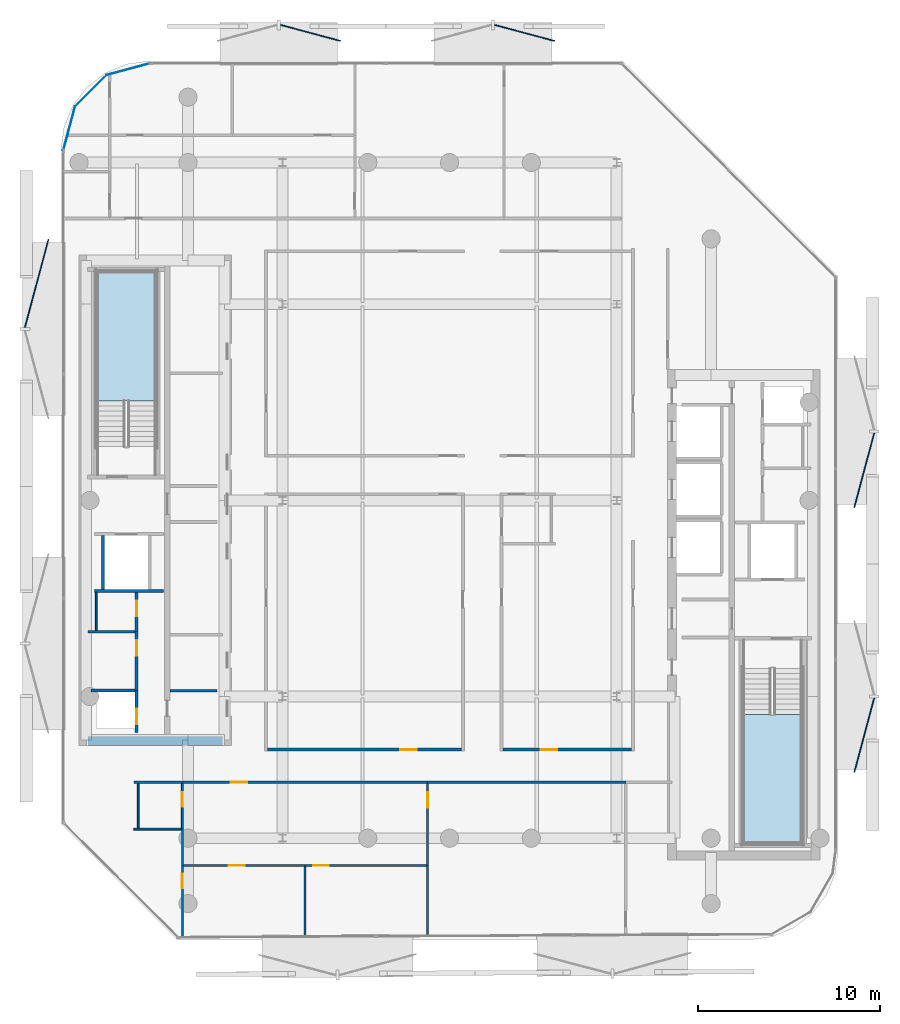
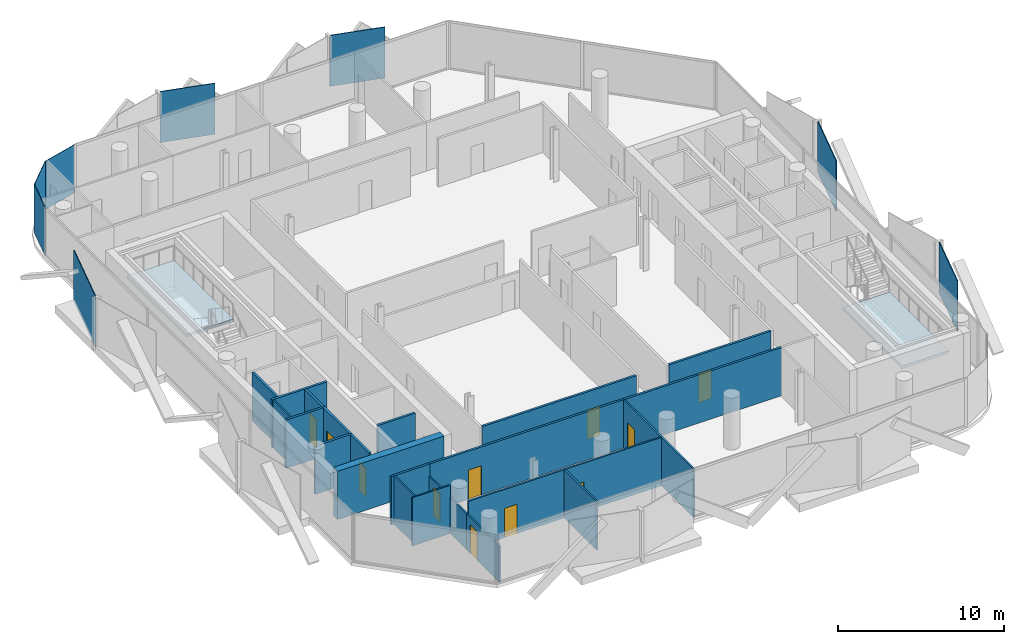
# One storey, part 4 of 15: 25 walls, 11 doors, 8 plates, 2 slabs, 11 openings, 2 elements without a shape of their own.
"""IFC4 building model written with IfcOpenShell, lengths in metres."""

from ifc_helpers import new_model, si_unit, direction, frame, frame_2d, origin, origin_2d, place, context, subcontext, project, spatial, polyline, rectangle, outline, extrude, material, layer, layer_set, type_object, element, fill, aggregate, save


model = new_model("IFC4")

# Units and contexts
model_context = context("Model", 3, precision=1e-05, world=origin(), true_north=direction((0.0, 1.0)))
body_context = subcontext(model_context, "Body", "Model", "MODEL_VIEW")
ifc_project = project(units=[si_unit("LENGTHUNIT", "METRE"), si_unit("AREAUNIT", "SQUARE_METRE"), si_unit("VOLUMEUNIT", "CUBIC_METRE"), si_unit("PLANEANGLEUNIT", "RADIAN"), si_unit("MASSUNIT", "GRAM", prefix="KILO")], contexts=[model_context])

# Site, building, storey
site_placement = place(None, origin())
site = spatial("IfcSite", under=ifc_project, at=site_placement, CompositionType="ELEMENT")
building_placement = place(site_placement, origin())
building = spatial("IfcBuilding", under=site, at=building_placement, Name="Khairoan Windgate Tower", CompositionType="ELEMENT")
storey_placement = place(building_placement, frame((0.0, 0.0, 289.0)))
storey = spatial("IfcBuildingStorey", under=building, at=storey_placement, Name="L69", CompositionType="ELEMENT", Elevation=289.0)

# Plates
ifc_material_1 = material(Name="Low-E Solar Control Laminated Glass", Category="glass")
ifc_layer_1 = layer(ifc_material_1, 0.030029296875, Name="Low-E Solar Control Laminated Glass")
ifc_layer_set_1 = layer_set([ifc_layer_1], Name="Low-E Solar Control Laminated Glass")
plate_type_1 = type_object("IfcPlateType", Name="Aerodynamic Wind-Corner Curved Glazing Plate", PredefinedType="USERDEFINED", material=ifc_layer_set_1)
plate_1_placement = place(storey_placement, frame((-20.940673828125, 20.485107421875, 0.0), z_axis=(0.0, 0.0, 1.0), x_axis=(0.258313252067, 0.966061211211, 0.0)))
element("IfcPlate", 1, at=plate_1_placement, inside=storey, type_object=plate_type_1, Name="L69 Aerodynamic Wind-Corner Curved Glazing Panel 4", ObjectType="GLAZING PANEL", PredefinedType="USERDEFINED", context=body_context, shape_type="SweptSolid", body=[
    extrude(rectangle(XDim=2.512451171875, YDim=0.035888671875, at=origin_2d()), origin(), (0.0, 0.0, 1.0), 3.5400390625),
])
plate_2_placement = place(storey_placement, frame((-19.750244140625, 22.55029296875, 0.0), z_axis=(0.0, 0.0, 1.0), x_axis=(0.707106781187, 0.707106781187, 0.0)))
element("IfcPlate", 2, at=plate_2_placement, inside=storey, type_object=plate_type_1, Name="L69 Aerodynamic Wind-Corner Curved Glazing Panel 5", ObjectType="GLAZING PANEL", PredefinedType="USERDEFINED", context=body_context, shape_type="SweptSolid", body=[
    extrude(rectangle(XDim=2.50341796875, YDim=0.035888671875, at=origin_2d()), origin(), (0.0, 0.0, 1.0), 3.5400390625),
])
plate_3_placement = place(storey_placement, frame((-17.68505859375, 23.740478515625, 0.0), z_axis=(0.0, 0.0, 1.0), x_axis=(0.966061211211, 0.258313252067, 0.0)))
element("IfcPlate", 3, at=plate_3_placement, inside=storey, type_object=plate_type_1, Name="L69 Aerodynamic Wind-Corner Curved Glazing Panel 6", ObjectType="GLAZING PANEL", PredefinedType="USERDEFINED", context=body_context, shape_type="SweptSolid", body=[
    extrude(rectangle(XDim=2.512451171875, YDim=0.035888671875, at=origin_2d()), origin(), (0.0, 0.0, 1.0), 3.5400390625),
])
ifc_material_2 = material(Name="Anodised Bronze Aluminium 6063-T6", Category="aluminium")
ifc_layer_2 = layer(ifc_material_2, 0.054931640625, Name="Anodised Bronze Aluminium 6063-T6")
ifc_layer_set_2 = layer_set([ifc_layer_2], Name="Anodised Bronze Aluminium 6063-T6")
plate_type_2 = type_object("IfcPlateType", Name="Perforated Bronze Solar Screen Upper Panel BSP-2", PredefinedType="USERDEFINED", material=ifc_layer_set_2)
plate_4_placement = place(storey_placement, frame((-22.72998046875, 11.947998046875, -0.10009765625), z_axis=(0.0, 0.0, 1.0), x_axis=(0.258819045103, 0.965925826289, 0.0)))
element("IfcPlate", 4, at=plate_4_placement, inside=storey, type_object=plate_type_2, Name="L69 Perforated Bronze Solar Screen Panel 481R", ObjectType="SCREEN", PredefinedType="USERDEFINED", context=body_context, shape_type="SweptSolid", body=[
    extrude(rectangle(XDim=5.02197265625, YDim=0.054931640625, at=origin_2d()), origin(), (0.0, 0.0, 1.0), 3.739990234375),
])
for number, where, z_axis, x_axis, name in (
    (5, (-7.65673828125, 25.73779296875, -0.10009765625), (0.0, 0.0, 1.0), (0.965925826289, -0.258819045103, 0.0), "L69 Perforated Bronze Solar Screen Panel 482R"),
    (6, (4.129638671875, 25.73779296875, -0.10009765625), (0.0, 0.0, 1.0), (0.965925826289, -0.258819045103, 0.0), "L69 Perforated Bronze Solar Screen Panel 483R"),
):
    element("IfcPlate", number, at=place(storey_placement, frame(where, z_axis=z_axis, x_axis=x_axis)), inside=storey, type_object=plate_type_2, Name=name, ObjectType="SCREEN", PredefinedType="USERDEFINED", context=body_context, shape_type="SweptSolid", body=[
        extrude(rectangle(XDim=3.41796875, YDim=0.054931640625, at=origin_2d()), origin(), (0.0, 0.0, 1.0), 3.739990234375),
    ])
for number, where, z_axis, x_axis, name in (
    (7, (22.83251953125, 1.656005859375, -0.10009765625), (0.0, 0.0, 1.0), (-0.258819045103, -0.965925826289, 0.0), "L69 Perforated Bronze Solar Screen Panel 484R"),
    (8, (22.83251953125, -12.930419921875, -0.10009765625), (0.0, 0.0, 1.0), (-0.258819045103, -0.965925826289, 0.0), "L69 Perforated Bronze Solar Screen Panel 485R"),
):
    element("IfcPlate", number, at=place(storey_placement, frame(where, z_axis=z_axis, x_axis=x_axis)), inside=storey, type_object=plate_type_2, Name=name, ObjectType="SCREEN", PredefinedType="USERDEFINED", context=body_context, shape_type="SweptSolid", body=[
        extrude(rectangle(XDim=4.22998046875, YDim=0.054931640625, at=origin_2d()), origin(), (0.0, 0.0, 1.0), 3.739990234375),
    ])

# Stair, slab
ifc_material_3 = material(Name="Concrete C40/50", Category="concrete")
stair_type = type_object("IfcStairType", Name="Tower Core Dog-Leg Stair ST-T1 1560mm", PredefinedType="HALF_TURN_STAIR", material=ifc_material_3)
stair_1_placement = place(storey_placement, origin())
stair_1 = element("IfcStair", 9, at=stair_1_placement, inside=storey, type_object=stair_type, Name="L69 Stair ST1", PredefinedType="HALF_TURN_STAIR")
ifc_material_4 = material(Name="Concrete C40/50", Category="concrete")
ifc_layer_3 = layer(ifc_material_4, 0.199951171875, Name="Concrete C40/50")
ifc_layer_set_3 = layer_set([ifc_layer_3], Name="Concrete C40/50")
slab_type = type_object("IfcSlabType", Name="Reinforced Concrete Stair Landing Slab STL-200", PredefinedType="LANDING", material=ifc_layer_set_3)
slab_1_placement = place(storey_placement, frame((0.0, 0.0, 1.699951171875)))
slab_1 = element("IfcSlab", 10, at=slab_1_placement, type_object=slab_type, Name="ST1 landing 1", PredefinedType="LANDING", context=body_context, shape_type="SweptSolid", body=[
    extrude(outline(polyline([(16.14990234375, -11.780029296875), (16.14990234375, -18.89990234375), (19.419921875, -18.89990234375), (19.419921875, -11.780029296875), (16.14990234375, -11.780029296875)])), origin(), (0.0, 0.0, 1.0), 0.199951171875),
])
aggregate(stair_1, [slab_1])

stair_2_placement = place(storey_placement, origin())
stair_2 = element("IfcStair", 11, at=stair_2_placement, inside=storey, type_object=stair_type, Name="L69 Stair ST2", PredefinedType="HALF_TURN_STAIR")
slab_2_placement = place(storey_placement, frame((0.0, 0.0, 1.699951171875)))
slab_2 = element("IfcSlab", 12, at=slab_2_placement, type_object=slab_type, Name="ST2 landing 1", PredefinedType="LANDING", context=body_context, shape_type="SweptSolid", body=[
    extrude(outline(polyline([(-16.14990234375, 5.47998046875), (-16.14990234375, 12.60009765625), (-19.419921875, 12.60009765625), (-19.419921875, 5.47998046875), (-16.14990234375, 5.47998046875)])), origin(), (0.0, 0.0, 1.0), 0.199951171875),
])
aggregate(stair_2, [slab_2])

# Wall
ifc_material_5 = material(Name="Moisture-Resistant Gypsum Partition", Category="gypsum")
ifc_layer_4 = layer(ifc_material_5, 0.10009765625, Name="Moisture-Resistant Gypsum Partition")
ifc_layer_set_4 = layer_set([ifc_layer_4], Name="Moisture-Resistant Gypsum Partition")
wall_type_1 = type_object("IfcWallType", Name="Bathroom Wet-Area Partition Wall", PredefinedType="PARTITIONING", material=ifc_layer_set_4)
wall_1_placement = place(storey_placement, frame((-17.3798828125, -18.10009765625, 0.0), z_axis=(0.0, 0.0, 1.0), x_axis=(1.0, 0.0, 0.0)))
element("IfcWall", 13, at=wall_1_placement, inside=storey, type_object=wall_type_1, Name="L69 Interior Partition 047", PredefinedType="PARTITIONING", context=body_context, shape_type="SweptSolid", body=[
    extrude(rectangle(XDim=2.619873046875, YDim=0.10009765625, at=frame_2d((1.31005859375, 0.0))), origin(), (0.0, 0.0, 1.0), 3.5400390625),
])

# Wall, opening, door
wall_2_placement = place(storey_placement, frame((-14.7099609375, -18.10009765625, 0.0), z_axis=(0.0, 0.0, 1.0), x_axis=(0.0, 1.0, 0.0)))
wall_2 = element("IfcWall", 14, at=wall_2_placement, inside=storey, type_object=wall_type_1, Name="L69 Interior Partition 048", PredefinedType="PARTITIONING", context=body_context, shape_type="SweptSolid", body=[
    extrude(rectangle(XDim=2.5, YDim=0.10009765625, at=frame_2d((1.25, 0.0))), origin(), (0.0, 0.0, 1.0), 2.639892578125),
])
opening_1_placement = place(wall_2_placement, frame((1.239990234375, 0.0, 0.0)))
opening_1 = element("IfcOpeningElement", 15, at=opening_1_placement, cuts=wall_2, Name="Opening ID-BTH", PredefinedType="OPENING", context=body_context, shape_type="SweptSolid", body=[
    extrude(rectangle(XDim=0.800048828125, YDim=2.10009765625, at=frame_2d((0.39990234375, 1.050048828125))), frame((0.0, 0.06005859375, 0.0), z_axis=(0.0, -1.0, 0.0), x_axis=(1.0, 0.0, 0.0)), (0.0, 0.0, 1.0), 0.1201171875),
])
ifc_material_6 = material(Name="Teak Veneer Timber Leaf", Category="wood")
door_type_1 = type_object("IfcDoorType", Name="Internal Bathroom Door ID-BTH 800x2100", OperationType="NOTDEFINED", PredefinedType="DOOR", material=ifc_material_6)
door_1_placement = place(opening_1_placement, origin())
door_1 = element("IfcDoor", 16, at=door_1_placement, inside=storey, type_object=door_type_1, Name="L69 L69-40-L69-42 Door", OperationType="SINGLE_SWING_RIGHT", OverallHeight=2.10009765625, OverallWidth=0.800048828125, PredefinedType="DOOR", context=body_context, shape_type="SweptSolid", body=[
    extrude(rectangle(XDim=0.800048828125, YDim=2.10009765625, at=frame_2d((0.39990234375, 1.050048828125))), frame((0.0, 0.02490234375, 0.0), z_axis=(0.0, -1.0, 0.0), x_axis=(1.0, 0.0, 0.0)), (0.0, 0.0, 1.0), 0.050048828125),
])
fill(opening_1, door_1)

# Walls
wall_3_placement = place(storey_placement, frame((-19.449951171875, -7.14990234375, 0.0), z_axis=(0.0, 0.0, 1.0), x_axis=(0.0, 1.0, 0.0)))
element("IfcWall", 17, at=wall_3_placement, inside=storey, type_object=wall_type_1, Name="L69 Wet Room Side Wall 058", PredefinedType="PARTITIONING", context=body_context, shape_type="SweptSolid", body=[
    extrude(rectangle(XDim=2.08984375, YDim=0.10009765625, at=frame_2d((1.044921875, 0.0))), origin(), (0.0, 0.0, 1.0), 3.5400390625),
])
wall_4_placement = place(storey_placement, frame((-17.139892578125, -18.050048828125, 0.0), z_axis=(0.0, 0.0, 1.0), x_axis=(0.0, 1.0, 0.0)))
element("IfcWall", 18, at=wall_4_placement, inside=storey, type_object=wall_type_1, Name="L69 Wet Room Side Wall 060", PredefinedType="PARTITIONING", context=body_context, shape_type="SweptSolid", body=[
    extrude(rectangle(XDim=2.449951171875, YDim=0.10009765625, at=frame_2d((1.22509765625, 0.0))), origin(), (0.0, 0.0, 1.0), 3.5400390625),
])
ifc_material_7 = material(Name="Concrete C40/50", Category="concrete")
ifc_layer_5 = layer(ifc_material_7, 0.159912109375, Name="Concrete C40/50")
ifc_layer_set_5 = layer_set([ifc_layer_5], Name="Concrete C40/50")
wall_type_2 = type_object("IfcWallType", Name="Core and Hoistway Enclosure Wall", PredefinedType="STANDARD", material=ifc_layer_set_5)
wall_5_placement = place(storey_placement, frame((-19.550048828125, -4.97998046875, 0.0), z_axis=(0.0, 0.0, 1.0), x_axis=(1.0, 0.0, 0.0)))
element("IfcWall", 19, at=wall_5_placement, inside=storey, type_object=wall_type_2, Name="L69 Core Shaft Wall SW-FL2B-L69", PredefinedType="STANDARD", context=body_context, shape_type="SweptSolid", body=[
    extrude(rectangle(XDim=3.800048828125, YDim=0.159912109375, at=frame_2d((1.89990234375, 0.0))), origin(), (0.0, 0.0, 1.0), 3.5400390625),
])
wall_6_placement = place(storey_placement, frame((-19.080078125, -4.89990234375, 0.0), z_axis=(0.0, 0.0, 1.0), x_axis=(0.0, 1.0, 0.0)))
element("IfcWall", 20, at=wall_6_placement, inside=storey, type_object=wall_type_2, Name="L69 Core Shaft Wall SW-FL2W-L69", PredefinedType="STANDARD", context=body_context, shape_type="SweptSolid", body=[
    extrude(rectangle(XDim=2.9599609375, YDim=0.159912109375, at=frame_2d((1.47998046875, 0.0))), origin(), (0.0, 0.0, 1.0), 3.5400390625),
])
wall_7_placement = place(storey_placement, frame((-15.39990234375, -10.47998046875, 0.0), z_axis=(0.0, 0.0, 1.0), x_axis=(1.0, 0.0, 0.0)))
element("IfcWall", 21, at=wall_7_placement, inside=storey, type_object=wall_type_2, Name="L69 Core Shaft Wall SW-WSV-L69", PredefinedType="STANDARD", context=body_context, shape_type="SweptSolid", body=[
    extrude(rectangle(XDim=2.599853515625, YDim=0.159912109375, at=frame_2d((1.2998046875, 0.0))), origin(), (0.0, 0.0, 1.0), 3.5400390625),
])
ifc_material_8 = material(Name="Gypsum Stud Partition", Category="gypsum")
ifc_layer_6 = layer(ifc_material_8, 0.1201171875, Name="Gypsum Stud Partition")
ifc_layer_set_6 = layer_set([ifc_layer_6], Name="Gypsum Stud Partition")
wall_type_3 = type_object("IfcWallType", Name="Internal Room Partition Wall", PredefinedType="PARTITIONING", material=ifc_layer_set_6)
wall_8_placement = place(storey_placement, frame((-14.7099609375, -20.10009765625, 0.0), z_axis=(0.0, 0.0, 1.0), x_axis=(0.0, 1.0, 0.0)))
element("IfcWall", 22, at=wall_8_placement, inside=storey, type_object=wall_type_3, Name="L69 Interior Partition 049", PredefinedType="PARTITIONING", context=body_context, shape_type="SweptSolid", body=[
    extrude(rectangle(XDim=2.0, YDim=0.1201171875, at=frame_2d((1.0, 0.0))), origin(), (0.0, 0.0, 1.0), 2.639892578125),
])

# Wall, opening, door
wall_9_placement = place(storey_placement, frame((-14.7099609375, -24.0537109375, 0.0), z_axis=(0.0, 0.0, 1.0), x_axis=(0.0, 1.0, 0.0)))
wall_9 = element("IfcWall", 23, at=wall_9_placement, inside=storey, type_object=wall_type_3, Name="L69 Interior Partition 050", PredefinedType="PARTITIONING", context=body_context, shape_type="SweptSolid", body=[
    extrude(rectangle(XDim=3.95361328125, YDim=0.1201171875, at=frame_2d((1.976806640625, 0.0))), origin(), (0.0, 0.0, 1.0), 2.639892578125),
])
opening_2_placement = place(wall_9_placement, frame((2.69384765625, 0.0, 0.0)))
opening_2 = element("IfcOpeningElement", 24, at=opening_2_placement, cuts=wall_9, Name="Opening ID-BTH", PredefinedType="OPENING", context=body_context, shape_type="SweptSolid", body=[
    extrude(rectangle(XDim=0.800048828125, YDim=2.10009765625, at=frame_2d((0.39990234375, 1.050048828125))), frame((0.0, 0.070068359375, 0.0), z_axis=(0.0, -1.0, 0.0), x_axis=(1.0, 0.0, 0.0)), (0.0, 0.0, 1.0), 0.14013671875),
])
door_2_placement = place(opening_2_placement, origin())
door_2 = element("IfcDoor", 25, at=door_2_placement, inside=storey, type_object=door_type_1, Name="L69 L69-41-L69-45 Door", OperationType="SINGLE_SWING_LEFT", OverallHeight=2.10009765625, OverallWidth=0.800048828125, PredefinedType="DOOR", context=body_context, shape_type="SweptSolid", body=[
    extrude(rectangle(XDim=0.800048828125, YDim=2.10009765625, at=frame_2d((0.39990234375, 1.050048828125))), frame((0.0, 0.02490234375, 0.0), z_axis=(0.0, -1.0, 0.0), x_axis=(1.0, 0.0, 0.0)), (0.0, 0.0, 1.0), 0.050048828125),
])
fill(opening_2, door_2)

wall_10_placement = place(storey_placement, frame((-1.2099609375, -20.10009765625, 0.0), z_axis=(0.0, 0.0, 1.0), x_axis=(0.0, 1.0, 0.0)))
wall_10 = element("IfcWall", 26, at=wall_10_placement, inside=storey, type_object=wall_type_3, Name="L69 Interior Partition 051", PredefinedType="PARTITIONING", context=body_context, shape_type="SweptSolid", body=[
    extrude(rectangle(XDim=4.5, YDim=0.1201171875, at=frame_2d((2.25, 0.0))), origin(), (0.0, 0.0, 1.0), 3.5400390625),
])
opening_3_placement = place(wall_10_placement, frame((3.179931640625, 0.0, 0.0)))
opening_3 = element("IfcOpeningElement", 27, at=opening_3_placement, cuts=wall_10, Name="Opening ID-RM", PredefinedType="OPENING", context=body_context, shape_type="SweptSolid", body=[
    extrude(rectangle(XDim=0.860107421875, YDim=2.14990234375, at=frame_2d((0.43017578125, 1.074951171875))), frame((0.0, 0.070068359375, 0.0), z_axis=(0.0, -1.0, 0.0), x_axis=(1.0, 0.0, 0.0)), (0.0, 0.0, 1.0), 0.14013671875),
])
ifc_material_9 = material(Name="Teak Veneer Timber Leaf", Category="wood")
door_type_2 = type_object("IfcDoorType", Name="Internal Bedroom and Office Door ID-RM 860x2150", OperationType="NOTDEFINED", PredefinedType="DOOR", material=ifc_material_9)
door_3_placement = place(opening_3_placement, origin())
door_3 = element("IfcDoor", 28, at=door_3_placement, inside=storey, type_object=door_type_2, Name="L69 L69-42-L69-43 Door", OperationType="SINGLE_SWING_RIGHT", OverallHeight=2.14990234375, OverallWidth=0.860107421875, PredefinedType="DOOR", context=body_context, shape_type="SweptSolid", body=[
    extrude(rectangle(XDim=0.860107421875, YDim=2.14990234375, at=frame_2d((0.43017578125, 1.074951171875))), frame((0.0, 0.02490234375, 0.0), z_axis=(0.0, -1.0, 0.0), x_axis=(1.0, 0.0, 0.0)), (0.0, 0.0, 1.0), 0.050048828125),
])
fill(opening_3, door_3)

wall_11_placement = place(storey_placement, frame((-14.64990234375, -20.10009765625, 0.0), z_axis=(0.0, 0.0, 1.0), x_axis=(1.0, 0.0, 0.0)))
wall_11 = element("IfcWall", 29, at=wall_11_placement, inside=storey, type_object=wall_type_3, Name="L69 Interior Partition 052", PredefinedType="PARTITIONING", context=body_context, shape_type="SweptSolid", body=[
    extrude(rectangle(XDim=6.68994140625, YDim=0.1201171875, at=frame_2d((3.344970703125, 0.0))), origin(), (0.0, 0.0, 1.0), 3.5400390625),
])
opening_4_placement = place(wall_11_placement, frame((2.505859375, 0.0, 0.0)))
opening_4 = element("IfcOpeningElement", 30, at=opening_4_placement, cuts=wall_11, Name="Opening ID-RM", PredefinedType="OPENING", context=body_context, shape_type="SweptSolid", body=[
    extrude(rectangle(XDim=0.860107421875, YDim=2.14990234375, at=frame_2d((0.43017578125, 1.074951171875))), frame((0.0, 0.070068359375, 0.0), z_axis=(0.0, -1.0, 0.0), x_axis=(1.0, 0.0, 0.0)), (0.0, 0.0, 1.0), 0.14013671875),
])
door_4_placement = place(opening_4_placement, origin())
door_4 = element("IfcDoor", 31, at=door_4_placement, inside=storey, type_object=door_type_2, Name="L69 L69-42-L69-45 Door", OperationType="SINGLE_SWING_LEFT", OverallHeight=2.14990234375, OverallWidth=0.860107421875, PredefinedType="DOOR", context=body_context, shape_type="SweptSolid", body=[
    extrude(rectangle(XDim=0.860107421875, YDim=2.14990234375, at=frame_2d((0.43017578125, 1.074951171875))), frame((0.0, 0.02490234375, 0.0), z_axis=(0.0, -1.0, 0.0), x_axis=(1.0, 0.0, 0.0)), (0.0, 0.0, 1.0), 0.050048828125),
])
fill(opening_4, door_4)

wall_12_placement = place(storey_placement, frame((-7.9599609375, -20.10009765625, 0.0), z_axis=(0.0, 0.0, 1.0), x_axis=(1.0, 0.0, 0.0)))
wall_12 = element("IfcWall", 32, at=wall_12_placement, inside=storey, type_object=wall_type_3, Name="L69 Interior Partition 053", PredefinedType="PARTITIONING", context=body_context, shape_type="SweptSolid", body=[
    extrude(rectangle(XDim=6.68994140625, YDim=0.1201171875, at=frame_2d((3.344970703125, 0.0))), origin(), (0.0, 0.0, 1.0), 3.5400390625),
])
opening_5_placement = place(wall_12_placement, frame((0.4599609375, 0.0, 0.0)))
opening_5 = element("IfcOpeningElement", 33, at=opening_5_placement, cuts=wall_12, Name="Opening ID-RM", PredefinedType="OPENING", context=body_context, shape_type="SweptSolid", body=[
    extrude(rectangle(XDim=0.860107421875, YDim=2.14990234375, at=frame_2d((0.43017578125, 1.074951171875))), frame((0.0, 0.070068359375, 0.0), z_axis=(0.0, -1.0, 0.0), x_axis=(1.0, 0.0, 0.0)), (0.0, 0.0, 1.0), 0.14013671875),
])
door_5_placement = place(opening_5_placement, origin())
door_5 = element("IfcDoor", 34, at=door_5_placement, inside=storey, type_object=door_type_2, Name="L69 L69-42-L69-46 Door", OperationType="SINGLE_SWING_RIGHT", OverallHeight=2.14990234375, OverallWidth=0.860107421875, PredefinedType="DOOR", context=body_context, shape_type="SweptSolid", body=[
    extrude(rectangle(XDim=0.860107421875, YDim=2.14990234375, at=frame_2d((0.43017578125, 1.074951171875))), frame((0.0, 0.02490234375, 0.0), z_axis=(0.0, -1.0, 0.0), x_axis=(1.0, 0.0, 0.0)), (0.0, 0.0, 1.0), 0.050048828125),
])
fill(opening_5, door_5)

# Walls
wall_13_placement = place(storey_placement, frame((-1.2099609375, -23.986328125, 0.0), z_axis=(0.0, 0.0, 1.0), x_axis=(0.0, 1.0, 0.0)))
element("IfcWall", 35, at=wall_13_placement, inside=storey, type_object=wall_type_3, Name="L69 Interior Partition 055", PredefinedType="PARTITIONING", context=body_context, shape_type="SweptSolid", body=[
    extrude(rectangle(XDim=3.88623046875, YDim=0.1201171875, at=frame_2d((1.943115234375, 0.0))), origin(), (0.0, 0.0, 1.0), 3.5400390625),
])
wall_14_placement = place(storey_placement, frame((-7.9599609375, -24.02001953125, 0.0), z_axis=(0.0, 0.0, 1.0), x_axis=(0.0, 1.0, 0.0)))
element("IfcWall", 36, at=wall_14_placement, inside=storey, type_object=wall_type_3, Name="L69 Interior Partition 056", PredefinedType="PARTITIONING", context=body_context, shape_type="SweptSolid", body=[
    extrude(rectangle(XDim=3.860107421875, YDim=0.1201171875, at=frame_2d((1.93017578125, 0.0))), origin(), (0.0, 0.0, 1.0), 3.5400390625),
])

# Wall, opening, door
ifc_material_10 = material(Name="Concrete C40/50", Category="concrete")
ifc_layer_7 = layer(ifc_material_10, 0.159912109375, Name="Concrete C40/50")
ifc_layer_set_7 = layer_set([ifc_layer_7], Name="Concrete C40/50")
wall_type_4 = type_object("IfcWallType", Name="Plant and Refuge Compartment Wall", PredefinedType="PARTITIONING", material=ifc_layer_set_7)
wall_15_placement = place(storey_placement, frame((-17.22998046875, -12.7900390625, 0.0), z_axis=(0.0, 0.0, 1.0), x_axis=(0.0, 1.0, 0.0)))
wall_15 = element("IfcWall", 37, at=wall_15_placement, inside=storey, type_object=wall_type_4, Name="L69 Interior Partition 001", PredefinedType="PARTITIONING", context=body_context, shape_type="SweptSolid", body=[
    extrude(rectangle(XDim=2.320068359375, YDim=0.159912109375, at=frame_2d((1.16015625, 0.0))), origin(), (0.0, 0.0, 1.0), 3.5400390625),
])
opening_6_placement = place(wall_15_placement, frame((0.4599609375, 0.0, 0.0)))
opening_6 = element("IfcOpeningElement", 38, at=opening_6_placement, cuts=wall_15, Name="Opening FD-SRV", PredefinedType="OPENING", context=body_context, shape_type="SweptSolid", body=[
    extrude(rectangle(XDim=0.85009765625, YDim=2.10009765625, at=frame_2d((0.425048828125, 1.050048828125))), frame((0.0, 0.08984375, 0.0), z_axis=(0.0, -1.0, 0.0), x_axis=(1.0, 0.0, 0.0)), (0.0, 0.0, 1.0), 0.179931640625),
])
ifc_material_11 = material(Name="Steel S355", Category="steel")
door_type_3 = type_object("IfcDoorType", Name="Core Service and Riser Fire Door FD-SRV 850x2100", OperationType="NOTDEFINED", PredefinedType="DOOR", material=ifc_material_11)
door_6_placement = place(opening_6_placement, origin())
door_6 = element("IfcDoor", 39, at=door_6_placement, inside=storey, type_object=door_type_3, Name="L69 L69-04-L69-05 Door", OperationType="SINGLE_SWING_LEFT", OverallHeight=2.10009765625, OverallWidth=0.85009765625, PredefinedType="DOOR", context=body_context, shape_type="SweptSolid", body=[
    extrude(rectangle(XDim=0.85009765625, YDim=2.10009765625, at=frame_2d((0.425048828125, 1.050048828125))), frame((0.0, 0.02490234375, 0.0), z_axis=(0.0, -1.0, 0.0), x_axis=(1.0, 0.0, 0.0)), (0.0, 0.0, 1.0), 0.050048828125),
])
fill(opening_6, door_6)

wall_16_placement = place(storey_placement, frame((-17.22998046875, -7.22998046875, 0.0), z_axis=(0.0, 0.0, 1.0), x_axis=(0.0, 1.0, 0.0)))
wall_16 = element("IfcWall", 40, at=wall_16_placement, inside=storey, type_object=wall_type_4, Name="L69 Interior Partition 002", PredefinedType="PARTITIONING", context=body_context, shape_type="SweptSolid", body=[
    extrude(rectangle(XDim=2.169921875, YDim=0.159912109375, at=frame_2d((1.0849609375, 0.0))), origin(), (0.0, 0.0, 1.0), 3.5400390625),
])
opening_7_placement = place(wall_16_placement, frame((0.860107421875, 0.0, 0.0)))
opening_7 = element("IfcOpeningElement", 41, at=opening_7_placement, cuts=wall_16, Name="Opening FD-SRV", PredefinedType="OPENING", context=body_context, shape_type="SweptSolid", body=[
    extrude(rectangle(XDim=0.85009765625, YDim=2.10009765625, at=frame_2d((0.425048828125, 1.050048828125))), frame((0.0, 0.08984375, 0.0), z_axis=(0.0, -1.0, 0.0), x_axis=(1.0, 0.0, 0.0)), (0.0, 0.0, 1.0), 0.179931640625),
])
door_7_placement = place(opening_7_placement, origin())
door_7 = element("IfcDoor", 42, at=door_7_placement, inside=storey, type_object=door_type_3, Name="L69 L69-04-L69-06 Door", OperationType="SINGLE_SWING_RIGHT", OverallHeight=2.10009765625, OverallWidth=0.85009765625, PredefinedType="DOOR", context=body_context, shape_type="SweptSolid", body=[
    extrude(rectangle(XDim=0.85009765625, YDim=2.10009765625, at=frame_2d((0.425048828125, 1.050048828125))), frame((0.0, 0.02490234375, 0.0), z_axis=(0.0, -1.0, 0.0), x_axis=(1.0, 0.0, 0.0)), (0.0, 0.0, 1.0), 0.050048828125),
])
fill(opening_7, door_7)

wall_17_placement = place(storey_placement, frame((-17.22998046875, -10.469970703125, 0.0), z_axis=(0.0, 0.0, 1.0), x_axis=(0.0, 1.0, 0.0)))
wall_17 = element("IfcWall", 43, at=wall_17_placement, inside=storey, type_object=wall_type_4, Name="L69 Interior Partition 003", PredefinedType="PARTITIONING", context=body_context, shape_type="SweptSolid", body=[
    extrude(rectangle(XDim=3.239990234375, YDim=0.159912109375, at=frame_2d((1.6201171875, 0.0))), origin(), (0.0, 0.0, 1.0), 3.5400390625),
])
opening_8_placement = place(wall_17_placement, frame((1.929931640625, 0.0, 0.0)))
opening_8 = element("IfcOpeningElement", 44, at=opening_8_placement, cuts=wall_17, Name="Opening FD-SRV", PredefinedType="OPENING", context=body_context, shape_type="SweptSolid", body=[
    extrude(rectangle(XDim=0.85009765625, YDim=2.10009765625, at=frame_2d((0.425048828125, 1.050048828125))), frame((0.0, 0.08984375, 0.0), z_axis=(0.0, -1.0, 0.0), x_axis=(1.0, 0.0, 0.0)), (0.0, 0.0, 1.0), 0.179931640625),
])
door_8_placement = place(opening_8_placement, origin())
door_8 = element("IfcDoor", 45, at=door_8_placement, inside=storey, type_object=door_type_3, Name="L69 L69-04-L69-07 Door", OperationType="SINGLE_SWING_LEFT", OverallHeight=2.10009765625, OverallWidth=0.85009765625, PredefinedType="DOOR", context=body_context, shape_type="SweptSolid", body=[
    extrude(rectangle(XDim=0.85009765625, YDim=2.10009765625, at=frame_2d((0.425048828125, 1.050048828125))), frame((0.0, 0.02490234375, 0.0), z_axis=(0.0, -1.0, 0.0), x_axis=(1.0, 0.0, 0.0)), (0.0, 0.0, 1.0), 0.050048828125),
])
fill(opening_8, door_8)

# Walls
wall_18_placement = place(storey_placement, frame((-19.75, -10.469970703125, 0.0), z_axis=(0.0, 0.0, 1.0), x_axis=(1.0, 0.0, 0.0)))
element("IfcWall", 46, at=wall_18_placement, inside=storey, type_object=wall_type_4, Name="L69 Interior Partition 004", PredefinedType="PARTITIONING", context=body_context, shape_type="SweptSolid", body=[
    extrude(rectangle(XDim=2.43994140625, YDim=0.159912109375, at=frame_2d((1.219970703125, 0.0))), origin(), (0.0, 0.0, 1.0), 3.5400390625),
])
wall_19_placement = place(storey_placement, frame((-19.89990234375, -7.22998046875, 0.0), z_axis=(0.0, 0.0, 1.0), x_axis=(1.0, 0.0, 0.0)))
element("IfcWall", 47, at=wall_19_placement, inside=storey, type_object=wall_type_4, Name="L69 Interior Partition 005", PredefinedType="PARTITIONING", context=body_context, shape_type="SweptSolid", body=[
    extrude(rectangle(XDim=2.58984375, YDim=0.159912109375, at=frame_2d((1.294921875, 0.0))), origin(), (0.0, 0.0, 1.0), 3.5400390625),
])
ifc_material_12 = material(Name="Acoustic Fire-Rated Gypsum Partition", Category="gypsum")
ifc_layer_8 = layer(ifc_material_12, 0.14990234375, Name="Acoustic Fire-Rated Gypsum Partition")
ifc_layer_set_8 = layer_set([ifc_layer_8], Name="Acoustic Fire-Rated Gypsum Partition")
wall_type_5 = type_object("IfcWallType", Name="Rated Corridor Partition Wall", PredefinedType="PARTITIONING", material=ifc_layer_set_8)
wall_20_placement = place(storey_placement, frame((-17.3798828125, -15.52490234375, 0.0), z_axis=(0.0, 0.0, 1.0), x_axis=(1.0, 0.0, 0.0)))
element("IfcWall", 48, at=wall_20_placement, inside=storey, type_object=wall_type_5, Name="L69 Interior Partition 031", PredefinedType="PARTITIONING", context=body_context, shape_type="SweptSolid", body=[
    extrude(rectangle(XDim=2.669921875, YDim=0.14990234375, at=frame_2d((1.3349609375, 0.0))), origin(), (0.0, 0.0, 1.0), 3.5400390625),
])

# Wall, opening, door
wall_21_placement = place(storey_placement, frame((-14.7099609375, -15.52490234375, 0.0), z_axis=(0.0, 0.0, 1.0), x_axis=(1.0, 0.0, 0.0)))
wall_21 = element("IfcWall", 49, at=wall_21_placement, inside=storey, type_object=wall_type_5, Name="L69 Interior Partition 032", PredefinedType="PARTITIONING", context=body_context, shape_type="SweptSolid", body=[
    extrude(rectangle(XDim=13.5, YDim=0.14990234375, at=frame_2d((6.75, 0.0))), origin(), (0.0, 0.0, 1.0), 3.5400390625),
])
opening_9_placement = place(wall_21_placement, frame((2.67529296875, 0.0, 0.0)))
opening_9 = element("IfcOpeningElement", 50, at=opening_9_placement, cuts=wall_21, Name="Opening FD-ENT", PredefinedType="OPENING", context=body_context, shape_type="SweptSolid", body=[
    extrude(rectangle(XDim=0.89990234375, YDim=2.14990234375, at=frame_2d((0.449951171875, 1.074951171875))), frame((0.0, 0.0849609375, 0.0), z_axis=(0.0, -1.0, 0.0), x_axis=(1.0, 0.0, 0.0)), (0.0, 0.0, 1.0), 0.169921875),
])
ifc_material_13 = material(Name="Timber Fire-Rated Core", Category="wood")
door_type_4 = type_object("IfcDoorType", Name="Unit and Office Fire Entrance Door FD-ENT 900x2150", OperationType="NOTDEFINED", PredefinedType="DOOR", material=ifc_material_13)
door_9_placement = place(opening_9_placement, origin())
door_9 = element("IfcDoor", 51, at=door_9_placement, inside=storey, type_object=door_type_4, Name="L69 L69-32-L69-42 Door", OperationType="SINGLE_SWING_RIGHT", OverallHeight=2.14990234375, OverallWidth=0.89990234375, PredefinedType="DOOR", context=body_context, shape_type="SweptSolid", body=[
    extrude(rectangle(XDim=0.89990234375, YDim=2.14990234375, at=frame_2d((0.449951171875, 1.074951171875))), frame((0.0, 0.02490234375, 0.0), z_axis=(0.0, -1.0, 0.0), x_axis=(1.0, 0.0, 0.0)), (0.0, 0.0, 1.0), 0.050048828125),
])
fill(opening_9, door_9)

# Wall
wall_22_placement = place(storey_placement, frame((-1.2099609375, -15.52490234375, 0.0), z_axis=(0.0, 0.0, 1.0), x_axis=(1.0, 0.0, 0.0)))
element("IfcWall", 52, at=wall_22_placement, inside=storey, type_object=wall_type_5, Name="L69 Interior Partition 033", PredefinedType="PARTITIONING", context=body_context, shape_type="SweptSolid", body=[
    extrude(rectangle(XDim=10.9150390625, YDim=0.14990234375, at=frame_2d((5.45751953125, 0.0))), origin(), (0.0, 0.0, 1.0), 3.5400390625),
])

# Wall, opening, door
wall_23_placement = place(storey_placement, frame((-10.02490234375, -13.719970703125, 0.0), z_axis=(0.0, 0.0, 1.0), x_axis=(1.0, 0.0, 0.0)))
wall_23 = element("IfcWall", 53, at=wall_23_placement, inside=storey, type_object=wall_type_5, Name="L69 Interior Partition 035", PredefinedType="PARTITIONING", context=body_context, shape_type="SweptSolid", body=[
    extrude(rectangle(XDim=10.684814453125, YDim=0.14990234375, at=frame_2d((5.34228515625, 0.0))), origin(), (0.0, 0.0, 1.0), 3.5400390625),
])
opening_10_placement = place(wall_23_placement, frame((7.310302734375, 0.0, 0.0)))
opening_10 = element("IfcOpeningElement", 54, at=opening_10_placement, cuts=wall_23, Name="Opening FD-ENT", PredefinedType="OPENING", context=body_context, shape_type="SweptSolid", body=[
    extrude(rectangle(XDim=0.89990234375, YDim=2.14990234375, at=frame_2d((0.449951171875, 1.074951171875))), frame((0.0, 0.0849609375, 0.0), z_axis=(0.0, -1.0, 0.0), x_axis=(1.0, 0.0, 0.0)), (0.0, 0.0, 1.0), 0.169921875),
])
door_10_placement = place(opening_10_placement, origin())
door_10 = element("IfcDoor", 55, at=door_10_placement, inside=storey, type_object=door_type_4, Name="L69 L69-32-L69-49 Door", OperationType="SINGLE_SWING_LEFT", OverallHeight=2.14990234375, OverallWidth=0.89990234375, PredefinedType="DOOR", context=body_context, shape_type="SweptSolid", body=[
    extrude(rectangle(XDim=0.89990234375, YDim=2.14990234375, at=frame_2d((0.449951171875, 1.074951171875))), frame((0.0, 0.02490234375, 0.0), z_axis=(0.0, -1.0, 0.0), x_axis=(1.0, 0.0, 0.0)), (0.0, 0.0, 1.0), 0.050048828125),
])
fill(opening_10, door_10)

wall_24_placement = place(storey_placement, frame((2.93994140625, -13.719970703125, 0.0), z_axis=(0.0, 0.0, 1.0), x_axis=(1.0, 0.0, 0.0)))
wall_24 = element("IfcWall", 56, at=wall_24_placement, inside=storey, type_object=wall_type_5, Name="L69 Interior Partition 036", PredefinedType="PARTITIONING", context=body_context, shape_type="SweptSolid", body=[
    extrude(rectangle(XDim=7.0849609375, YDim=0.14990234375, at=frame_2d((3.54248046875, 0.0))), origin(), (0.0, 0.0, 1.0), 3.5400390625),
])
opening_11_placement = place(wall_24_placement, frame((2.080078125, 0.0, 0.0)))
opening_11 = element("IfcOpeningElement", 57, at=opening_11_placement, cuts=wall_24, Name="Opening FD-ENT", PredefinedType="OPENING", context=body_context, shape_type="SweptSolid", body=[
    extrude(rectangle(XDim=0.89990234375, YDim=2.14990234375, at=frame_2d((0.449951171875, 1.074951171875))), frame((0.0, 0.0849609375, 0.0), z_axis=(0.0, -1.0, 0.0), x_axis=(1.0, 0.0, 0.0)), (0.0, 0.0, 1.0), 0.169921875),
])
door_11_placement = place(opening_11_placement, origin())
door_11 = element("IfcDoor", 58, at=door_11_placement, inside=storey, type_object=door_type_4, Name="L69 L69-32-L69-52 Door", OperationType="SINGLE_SWING_RIGHT", OverallHeight=2.14990234375, OverallWidth=0.89990234375, PredefinedType="DOOR", context=body_context, shape_type="SweptSolid", body=[
    extrude(rectangle(XDim=0.89990234375, YDim=2.14990234375, at=frame_2d((0.449951171875, 1.074951171875))), frame((0.0, 0.02490234375, 0.0), z_axis=(0.0, -1.0, 0.0), x_axis=(1.0, 0.0, 0.0)), (0.0, 0.0, 1.0), 0.050048828125),
])
fill(opening_11, door_11)

# Wall
ifc_material_14 = material(Name="Concrete C50/60", Category="concrete")
ifc_layer_9 = layer(ifc_material_14, 0.5, Name="Concrete C50/60")
ifc_layer_set_9 = layer_set([ifc_layer_9], Name="Concrete C50/60")
wall_type_6 = type_object("IfcWallType", Name="Shear Wall CW-W3 500mm", PredefinedType="SHEAR", material=ifc_layer_set_9)
wall_25_placement = place(storey_placement, frame((-19.89990234375, -13.25, 0.0), z_axis=(0.0, 0.0, 1.0), x_axis=(1.0, 0.0, 0.0)))
element("IfcWall", 59, at=wall_25_placement, inside=storey, type_object=wall_type_6, Name="W Core South Shear Wall L69", PredefinedType="SHEAR", context=body_context, shape_type="SweptSolid", body=[
    extrude(rectangle(XDim=7.39990234375, YDim=0.5, at=frame_2d((3.699951171875, 0.0))), origin(), (0.0, 0.0, 1.0), 3.5400390625),
])

save(model, "model.ifc")
